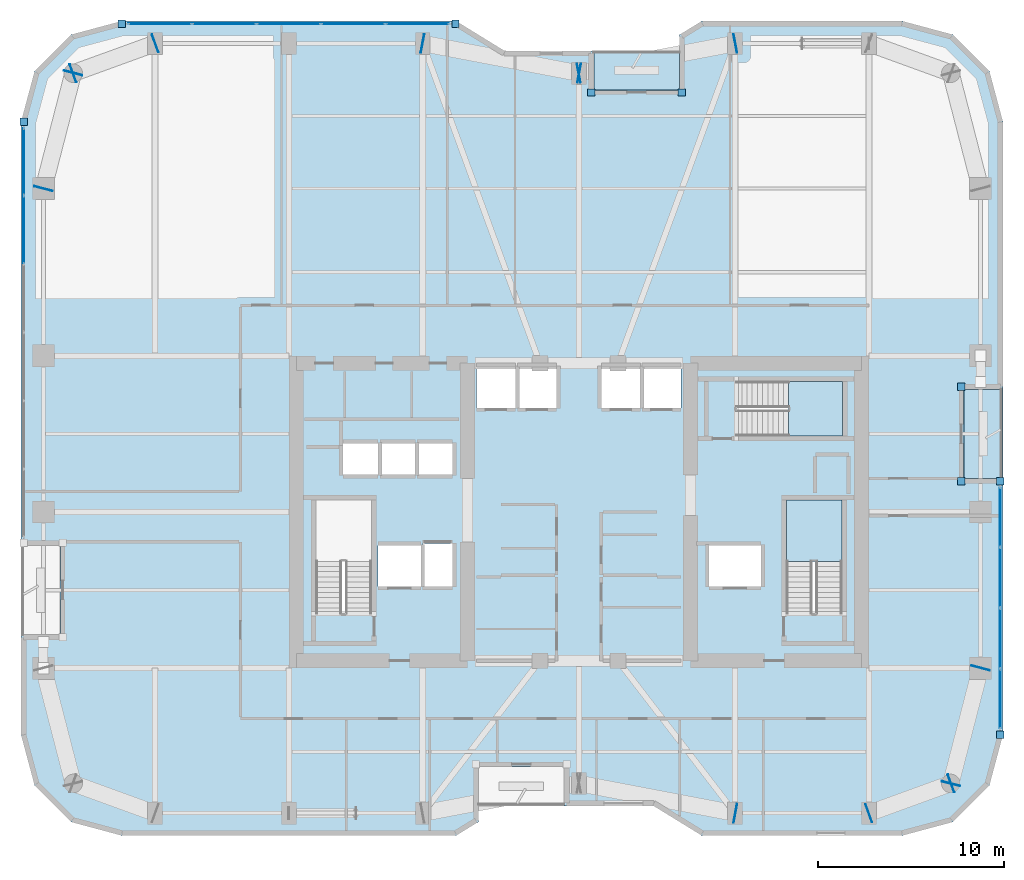
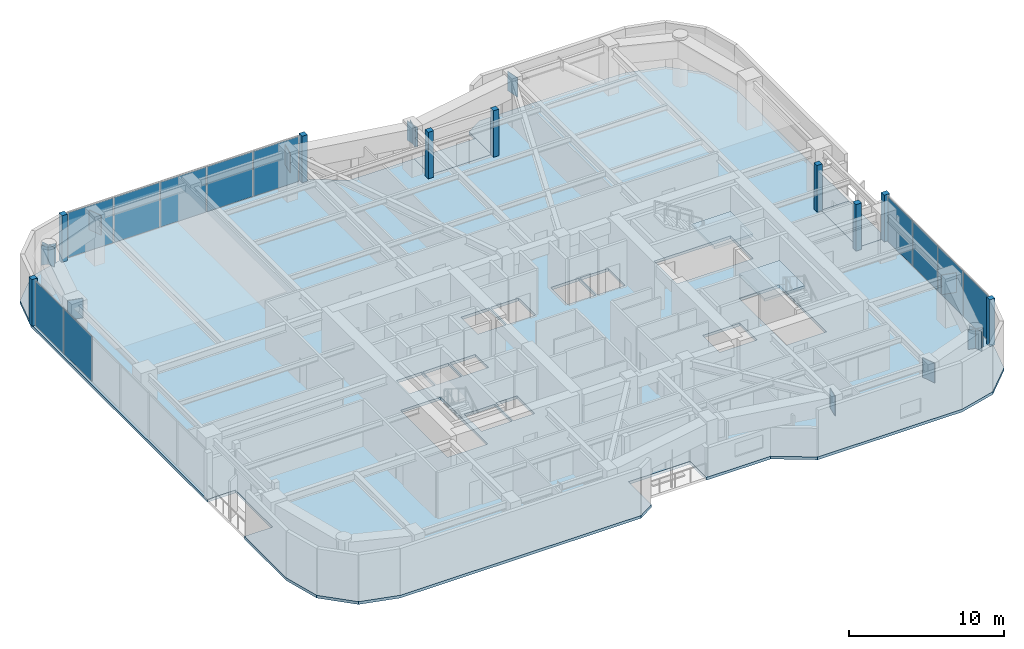
# One storey, part 22 of 30: 33 plates, 5 slabs, 5 elements without a shape of their own.
"""IFC4 building model written with IfcOpenShell, lengths in metres."""

from ifc_helpers import new_model, si_unit, direction, frame, origin, origin_2d, place, context, subcontext, project, spatial, polyline, rectangle, outline, extrude, material, layer, layer_set, type_object, element, aggregate, save


model = new_model("IFC4")

# Units and contexts
model_context = context("Model", 3, precision=1e-05, world=origin(), true_north=direction((0.0, 1.0)))
body_context = subcontext(model_context, "Body", "Model", "MODEL_VIEW")
ifc_project = project(units=[si_unit("LENGTHUNIT", "METRE"), si_unit("AREAUNIT", "SQUARE_METRE"), si_unit("VOLUMEUNIT", "CUBIC_METRE"), si_unit("PLANEANGLEUNIT", "RADIAN"), si_unit("MASSUNIT", "GRAM", prefix="KILO")], contexts=[model_context])

# Site, building, storey
site_placement = place(None, origin())
site = spatial("IfcSite", under=ifc_project, at=site_placement, CompositionType="ELEMENT")
building_placement = place(site_placement, origin())
building = spatial("IfcBuilding", under=site, at=building_placement, Name="Kiyonajd Concourse Tower", CompositionType="ELEMENT")
storey_placement = place(building_placement, frame((0.0, 0.0, 170.10009765625)))
storey = spatial("IfcBuildingStorey", under=building, at=storey_placement, Name="L43", CompositionType="ELEMENT", Elevation=170.10009765625)

# Plates
ifc_material_1 = material(Name="Steel ASTM A572 Grade 50", Category="steel")
ifc_layer_1 = layer(ifc_material_1, 0.031982421875)
ifc_layer_set_1 = layer_set([ifc_layer_1], Name="Steel ASTM A572 Grade 50")
plate_type_1 = type_object("IfcPlateType", Name="PL-CAP-540", PredefinedType="USERDEFINED", material=ifc_layer_set_1)
for number, where, z_axis, x_axis, name in (
    (1, (56.410888671875, 19.7978515625, 2.2099609375), (0.0, 0.0, 1.0), (0.982352599301, -0.187038420242, 0.0), "L43 Welded Box Girder End Cap"),
    (2, (63.589599609375, 19.796142578125, 2.2099609375), (0.0, 0.0, 1.0), (-0.939811951086, -0.341692107891, 0.0), "L43 Welded Box Girder End Cap"),
    (3, (68.01025390625, 21.40380859375, 2.2099609375), (0.0, 0.0, 1.0), (0.939811951086, 0.341692107891, 0.0), "L43 Welded Box Girder End Cap"),
    (4, (67.997314453125, 21.389404296875, 2.2099609375), (0.0, 0.0, 1.0), (-0.249873048837, -0.968278606324, 0.0), "L43 Welded Box Girder End Cap"),
    (5, (69.602783203125, 27.610595703125, 2.2099609375), (0.0, 0.0, 1.0), (0.249873048837, 0.968278606324, 0.0), "L43 Welded Box Girder End Cap"),
    (6, (56.410888671875, 61.2021484375, 2.2099609375), (0.0, 0.0, 1.0), (0.982352599301, 0.187038420242, 0.0), "L43 Welded Box Girder End Cap"),
    (7, (47.9892578125, 59.597900390625, 2.2099609375), (0.0, 0.0, 1.0), (-0.982352599301, -0.187038420242, 0.0), "L43 Welded Box Girder End Cap"),
    (8, (48.0107421875, 59.597900390625, 2.2099609375), (0.0, 0.0, 1.0), (0.982352599301, -0.187038420242, 0.0), "L43 Welded Box Girder End Cap"),
    (9, (39.589111328125, 61.2021484375, 2.2099609375), (0.0, 0.0, 1.0), (-0.982352599301, 0.187038420242, 0.0), "L43 Welded Box Girder End Cap"),
    (10, (25.210205078125, 61.203857421875, 2.2099609375), (0.0, 0.0, 1.0), (0.939811951086, 0.341692107891, 0.0), "L43 Welded Box Girder End Cap"),
    (11, (20.789794921875, 59.59619140625, 2.2099609375), (0.0, 0.0, 1.0), (-0.939811951086, -0.341692107891, 0.0), "L43 Welded Box Girder End Cap"),
    (12, (20.802734375, 59.610595703125, 2.2099609375), (0.0, 0.0, 1.0), (0.249873048837, 0.968278606324, 0.0), "L43 Welded Box Girder End Cap"),
    (13, (19.197265625, 53.389404296875, 2.2099609375), (0.0, 0.0, 1.0), (-0.249873048837, -0.968278606324, 0.0), "L43 Welded Box Girder End Cap"),
):
    element("IfcPlate", number, at=place(storey_placement, frame(where, z_axis=z_axis, x_axis=x_axis)), inside=storey, type_object=plate_type_1, Name=name, ObjectType="CAP PLATE", PredefinedType="USERDEFINED", context=body_context, shape_type="SweptSolid", body=[
        extrude(rectangle(XDim=0.035888671875, YDim=1.02001953125, at=origin_2d()), origin(), (0.0, 0.0, 1.0), 1.5400390625),
    ])

# Curtain wall, plates
ifc_material_2 = material(Name="Thermally Broken Anodised Aluminium", Category="aluminium")
ifc_layer_2 = layer(ifc_material_2, 0.179931640625)
ifc_layer_set_2 = layer_set([ifc_layer_2], Name="Thermally Broken Anodised Aluminium")
curtain_wall_type = type_object("IfcCurtainWallType", Name="CW-SYS-03", PredefinedType="NOTDEFINED", material=ifc_layer_set_2)
curtain_wall_1_placement = place(storey_placement, origin())
curtain_wall_1 = element("IfcCurtainWall", 14, at=curtain_wall_1_placement, inside=storey, type_object=curtain_wall_type, Name="L43 Unitised Curtain Wall CW3", PredefinedType="NOTDEFINED")
ifc_material_3 = material(Name="Double Low-E Insulated Glass", Category="glass")
ifc_layer_3 = layer(ifc_material_3, 0.033935546875)
ifc_layer_set_3 = layer_set([ifc_layer_3], Name="Double Low-E Insulated Glass")
plate_type_2 = type_object("IfcPlateType", Name="PL-CW-VIS34", PredefinedType="CURTAIN_PANEL", material=ifc_layer_set_3)
plate_1_placement = place(storey_placement, frame((18.139892578125, 51.17626953125, 0.06494140625), z_axis=(0.0, 0.0, 1.0), x_axis=(0.0, 1.0, 0.0)))
plate_1 = element("IfcPlate", 15, at=plate_1_placement, type_object=plate_type_2, Name="CW3 panel 5.1", PredefinedType="CURTAIN_PANEL", context=body_context, shape_type="SweptSolid", body=[
    extrude(rectangle(XDim=3.61181640625, YDim=0.033935546875, at=origin_2d()), origin(), (0.0, 0.0, 1.0), 3.550048828125),
])
plate_2_placement = place(storey_placement, frame((18.139892578125, 54.8369140625, 0.06494140625), z_axis=(0.0, 0.0, 1.0), x_axis=(0.0, 1.0, 0.0)))
plate_2 = element("IfcPlate", 16, at=plate_2_placement, type_object=plate_type_2, Name="CW3 panel 6.1", PredefinedType="CURTAIN_PANEL", context=body_context, shape_type="SweptSolid", body=[
    extrude(rectangle(XDim=3.579345703125, YDim=0.033935546875, at=origin_2d()), origin(), (0.0, 0.0, 1.0), 3.550048828125),
])
aggregate(curtain_wall_1, [plate_1, plate_2])

curtain_wall_2_placement = place(storey_placement, origin())
curtain_wall_2 = element("IfcCurtainWall", 17, at=curtain_wall_2_placement, inside=storey, type_object=curtain_wall_type, Name="L43 Unitised Curtain Wall CW3", PredefinedType="NOTDEFINED")
plate_3_placement = place(storey_placement, frame((25.4609375, 62.260009765625, 0.06494140625), z_axis=(0.0, 0.0, 1.0), x_axis=(1.0, 0.0, 0.0)))
plate_3 = element("IfcPlate", 18, at=plate_3_placement, type_object=plate_type_2, Name="CW3 panel 1.1", PredefinedType="CURTAIN_PANEL", context=body_context, shape_type="SweptSolid", body=[
    extrude(rectangle(XDim=3.375, YDim=0.033935546875, at=origin_2d()), origin(), (0.0, 0.0, 1.0), 3.550048828125),
])
plate_4_placement = place(storey_placement, frame((28.9169921875, 62.260009765625, 0.06494140625), z_axis=(0.0, 0.0, 1.0), x_axis=(1.0, 0.0, 0.0)))
plate_4 = element("IfcPlate", 19, at=plate_4_placement, type_object=plate_type_2, Name="CW3 panel 2.1", PredefinedType="CURTAIN_PANEL", context=body_context, shape_type="SweptSolid", body=[
    extrude(rectangle(XDim=3.407470703125, YDim=0.033935546875, at=origin_2d()), origin(), (0.0, 0.0, 1.0), 3.550048828125),
])
plate_5_placement = place(storey_placement, frame((32.389404296875, 62.260009765625, 0.06494140625), z_axis=(0.0, 0.0, 1.0), x_axis=(1.0, 0.0, 0.0)))
plate_5 = element("IfcPlate", 20, at=plate_5_placement, type_object=plate_type_2, Name="CW3 panel 3.1", PredefinedType="CURTAIN_PANEL", context=body_context, shape_type="SweptSolid", body=[
    extrude(rectangle(XDim=3.407470703125, YDim=0.033935546875, at=origin_2d()), origin(), (0.0, 0.0, 1.0), 3.550048828125),
])
plate_6_placement = place(storey_placement, frame((35.86181640625, 62.260009765625, 0.06494140625), z_axis=(0.0, 0.0, 1.0), x_axis=(1.0, 0.0, 0.0)))
plate_6 = element("IfcPlate", 21, at=plate_6_placement, type_object=plate_type_2, Name="CW3 panel 4.1", PredefinedType="CURTAIN_PANEL", context=body_context, shape_type="SweptSolid", body=[
    extrude(rectangle(XDim=3.407470703125, YDim=0.033935546875, at=origin_2d()), origin(), (0.0, 0.0, 1.0), 3.550048828125),
])
plate_7_placement = place(storey_placement, frame((39.31787109375, 62.260009765625, 0.06494140625), z_axis=(0.0, 0.0, 1.0), x_axis=(1.0, 0.0, 0.0)))
plate_7 = element("IfcPlate", 22, at=plate_7_placement, type_object=plate_type_2, Name="CW3 panel 5.1", PredefinedType="CURTAIN_PANEL", context=body_context, shape_type="SweptSolid", body=[
    extrude(rectangle(XDim=3.375, YDim=0.033935546875, at=origin_2d()), origin(), (0.0, 0.0, 1.0), 3.550048828125),
])
aggregate(curtain_wall_2, [plate_3, plate_4, plate_5, plate_6, plate_7])

curtain_wall_3_placement = place(storey_placement, origin())
curtain_wall_3 = element("IfcCurtainWall", 23, at=curtain_wall_3_placement, inside=storey, type_object=curtain_wall_type, Name="L43 Unitised Curtain Wall CW3", PredefinedType="NOTDEFINED")
plate_8_placement = place(storey_placement, frame((70.659912109375, 35.720947265625, 0.06494140625), z_axis=(0.0, 0.0, 1.0), x_axis=(0.0, -1.0, 0.0)))
plate_8 = element("IfcPlate", 24, at=plate_8_placement, type_object=plate_type_2, Name="CW3 panel 1.1", PredefinedType="CURTAIN_PANEL", context=body_context, shape_type="SweptSolid", body=[
    extrude(rectangle(XDim=3.16796875, YDim=0.033935546875, at=origin_2d()), origin(), (0.0, 0.0, 1.0), 3.550048828125),
])
plate_9_placement = place(storey_placement, frame((70.659912109375, 32.471923828125, 0.06494140625), z_axis=(0.0, 0.0, 1.0), x_axis=(0.0, -1.0, 0.0)))
plate_9 = element("IfcPlate", 25, at=plate_9_placement, type_object=plate_type_2, Name="CW3 panel 2.1", PredefinedType="CURTAIN_PANEL", context=body_context, shape_type="SweptSolid", body=[
    extrude(rectangle(XDim=3.200439453125, YDim=0.033935546875, at=origin_2d()), origin(), (0.0, 0.0, 1.0), 3.550048828125),
])
plate_10_placement = place(storey_placement, frame((70.659912109375, 29.20654296875, 0.06494140625), z_axis=(0.0, 0.0, 1.0), x_axis=(0.0, -1.0, 0.0)))
plate_10 = element("IfcPlate", 26, at=plate_10_placement, type_object=plate_type_2, Name="CW3 panel 3.1", PredefinedType="CURTAIN_PANEL", context=body_context, shape_type="SweptSolid", body=[
    extrude(rectangle(XDim=3.200439453125, YDim=0.033935546875, at=origin_2d()), origin(), (0.0, 0.0, 1.0), 3.550048828125),
])
plate_11_placement = place(storey_placement, frame((70.659912109375, 25.957275390625, 0.06494140625), z_axis=(0.0, 0.0, 1.0), x_axis=(0.0, -1.0, 0.0)))
plate_11 = element("IfcPlate", 27, at=plate_11_placement, type_object=plate_type_2, Name="CW3 panel 4.1", PredefinedType="CURTAIN_PANEL", context=body_context, shape_type="SweptSolid", body=[
    extrude(rectangle(XDim=3.16796875, YDim=0.033935546875, at=origin_2d()), origin(), (0.0, 0.0, 1.0), 3.550048828125),
])
aggregate(curtain_wall_3, [plate_8, plate_9, plate_10, plate_11])

# Plates
ifc_layer_4 = layer(ifc_material_2, 0.39990234375)
ifc_layer_set_4 = layer_set([ifc_layer_4], Name="Thermally Broken Anodised Aluminium")
plate_type_3 = type_object("IfcPlateType", Name="PL-JMB-400", PredefinedType="USERDEFINED", material=ifc_layer_set_4)
for number, where, z_axis, x_axis, name in (
    (28, (18.139892578125, 56.981689453125, 0.0), (0.0, 0.0, 1.0), (1.0, 0.0, 0.0), "L43 Facade Jamb Closure Plate 04"),
    (29, (23.41845703125, 62.260009765625, 0.0), (0.0, 0.0, 1.0), (1.0, 0.0, 0.0), "L43 Facade Jamb Closure Plate 05"),
    (30, (41.3603515625, 62.260009765625, 0.0), (0.0, 0.0, 1.0), (1.0, 0.0, 0.0), "L43 Facade Jamb Closure Plate 06"),
    (31, (48.659912109375, 58.56005859375, 0.0), (0.0, 0.0, 1.0), (1.0, 0.0, 0.0), "L43 Facade Jamb Closure Plate 07"),
    (32, (53.5400390625, 58.56005859375, 0.0), (0.0, 0.0, 1.0), (1.0, 0.0, 0.0), "L43 Facade Jamb Closure Plate 08"),
    (33, (68.56005859375, 42.739990234375, 0.0), (0.0, 0.0, 1.0), (1.0, 0.0, 0.0), "L43 Facade Jamb Closure Plate 09"),
    (34, (68.56005859375, 37.659912109375, 0.0), (0.0, 0.0, 1.0), (1.0, 0.0, 0.0), "L43 Facade Jamb Closure Plate 10"),
    (35, (70.659912109375, 37.659912109375, 0.0), (0.0, 0.0, 1.0), (1.0, 0.0, 0.0), "L43 Facade Jamb Closure Plate 11"),
    (36, (70.659912109375, 24.018310546875, 0.0), (0.0, 0.0, 1.0), (1.0, 0.0, 0.0), "L43 Facade Jamb Closure Plate 12"),
):
    element("IfcPlate", number, at=place(storey_placement, frame(where, z_axis=z_axis, x_axis=x_axis)), inside=storey, type_object=plate_type_3, Name=name, ObjectType="JAMB PLATE", PredefinedType="USERDEFINED", context=body_context, shape_type="SweptSolid", body=[
        extrude(rectangle(XDim=0.39990234375, YDim=0.39990234375, at=origin_2d()), origin(), (0.0, 0.0, 1.0), 3.679931640625),
    ])

# Stair, slab
ifc_material_4 = material(Name="Concrete C40/50", Category="concrete")
stair_type = type_object("IfcStairType", Name="ST-DLG-22R", PredefinedType="HALF_TURN_STAIR", material=ifc_material_4)
stair_1_placement = place(storey_placement, origin())
stair_1 = element("IfcStair", 37, at=stair_1_placement, inside=storey, type_object=stair_type, Name="L43 Protected Exit Stair ST2", PredefinedType="HALF_TURN_STAIR")
ifc_layer_5 = layer(ifc_material_4, 0.199951171875)
ifc_layer_set_5 = layer_set([ifc_layer_5], Name="Concrete C40/50")
slab_type_1 = type_object("IfcSlabType", Name="SL-LND-200", PredefinedType="LANDING", material=ifc_layer_set_5)
slab_1_placement = place(storey_placement, frame((0.0, 0.0, 1.75)))
slab_1 = element("IfcSlab", 38, at=slab_1_placement, type_object=slab_type_1, Name="ST2 landing 1", PredefinedType="LANDING", context=body_context, shape_type="SweptSolid", body=[
    extrude(outline(polyline([(62.14990234375, 33.35009765625), (62.14990234375, 36.64990234375), (59.14990234375, 36.64990234375), (59.14990234375, 33.35009765625), (62.14990234375, 33.35009765625)])), origin(), (0.0, 0.0, 1.0), 0.199951171875),
])
aggregate(stair_1, [slab_1])

stair_2_placement = place(storey_placement, origin())
stair_2 = element("IfcStair", 39, at=stair_2_placement, inside=storey, type_object=stair_type, Name="L43 Protected Exit Stair ST3", PredefinedType="HALF_TURN_STAIR")
slab_2_placement = place(storey_placement, frame((0.0, 0.0, 1.75)))
slab_2 = element("IfcSlab", 40, at=slab_2_placement, type_object=slab_type_1, Name="ST3 landing 1", PredefinedType="LANDING", context=body_context, shape_type="SweptSolid", body=[
    extrude(outline(polyline([(59.280029296875, 40.080078125), (62.179931640625, 40.080078125), (62.179931640625, 43.02001953125), (59.280029296875, 43.02001953125), (59.280029296875, 40.080078125)])), origin(), (0.0, 0.0, 1.0), 0.199951171875),
])
aggregate(stair_2, [slab_2])

# Slabs
ifc_material_5 = material(Name="Precast concrete C50/60", Category="concrete")
ifc_layer_6 = layer(ifc_material_5, 0.199951171875)
ifc_layer_set_6 = layer_set([ifc_layer_6], Name="Precast concrete C50/60")
slab_type_2 = type_object("IfcSlabType", Name="SL-LOG-200", PredefinedType="FLOOR", material=ifc_layer_set_6)
slab_3_placement = place(storey_placement, frame((0.0, 0.0, -0.2001953125)))
element("IfcSlab", 41, at=slab_3_placement, inside=storey, type_object=slab_type_2, Name="L43 Recessed Engawa Loggia Terrace Slab LOG-N", PredefinedType="FLOOR", context=body_context, shape_type="SweptSolid", body=[
    extrude(outline(polyline([(48.800048828125, 58.699951171875), (53.39990234375, 58.699951171875), (53.39990234375, 60.800048828125), (48.800048828125, 60.800048828125), (48.800048828125, 58.699951171875)])), origin(), (0.0, 0.0, 1.0), 0.2001953125),
])
slab_4_placement = place(storey_placement, frame((0.0, 0.0, -0.2001953125)))
element("IfcSlab", 42, at=slab_4_placement, inside=storey, type_object=slab_type_2, Name="L43 Recessed Engawa Loggia Terrace Slab LOG-E", PredefinedType="FLOOR", context=body_context, shape_type="SweptSolid", body=[
    extrude(outline(polyline([(68.699951171875, 37.800048828125), (70.800048828125, 37.800048828125), (70.800048828125, 42.60009765625), (68.699951171875, 42.60009765625), (68.699951171875, 37.800048828125)])), origin(), (0.0, 0.0, 1.0), 0.2001953125),
])
ifc_layer_7 = layer(ifc_material_4, 0.219970703125)
ifc_layer_set_7 = layer_set([ifc_layer_7], Name="Concrete C40/50")
slab_type_3 = type_object("IfcSlabType", Name="SL-TWR-220", PredefinedType="FLOOR", material=ifc_layer_set_7)
slab_5_placement = place(storey_placement, frame((0.0, 0.0, -0.22021484375)))
element("IfcSlab", 43, at=slab_5_placement, inside=storey, type_object=slab_type_3, Name="L43 Tower Conditioned Floor Slab", PredefinedType="FLOOR", context=body_context, shape_type="SweptSolid", body=[
    extrude(outline(polyline([(18.722900390625, 21.300048828125), (18.0, 24.0), (18.0, 29.39990234375), (20.10009765625, 29.39990234375), (20.10009765625, 34.199951171875), (18.0, 34.199951171875), (18.0, 57.0), (18.722900390625, 59.699951171875), (20.699951171875, 61.677001953125), (23.39990234375, 62.39990234375), (41.39990234375, 62.39990234375), (44.0, 60.800048828125), (48.800048828125, 60.800048828125), (48.800048828125, 58.699951171875), (53.39990234375, 58.699951171875), (53.39990234375, 61.662109375), (54.60009765625, 62.39990234375), (65.39990234375, 62.39990234375), (68.10009765625, 61.677001953125), (70.076904296875, 59.699951171875), (70.800048828125, 57.0), (70.800048828125, 42.60009765625), (68.699951171875, 42.60009765625), (68.699951171875, 37.800048828125), (70.800048828125, 37.800048828125), (70.800048828125, 24.0), (70.076904296875, 21.300048828125), (68.10009765625, 19.322998046875), (65.39990234375, 18.60009765625), (54.60009765625, 18.60009765625), (52.0, 20.199951171875), (47.199951171875, 20.199951171875), (47.199951171875, 22.300048828125), (42.60009765625, 22.300048828125), (42.60009765625, 19.337890625), (41.39990234375, 18.60009765625), (23.39990234375, 18.60009765625), (20.699951171875, 19.322998046875), (18.722900390625, 21.300048828125)]), holes=[polyline([(39.5, 32.0), (37.199951171875, 32.0), (37.199951171875, 34.199951171875), (39.5, 34.199951171875), (39.5, 32.0)]), polyline([(39.60009765625, 32.0), (39.60009765625, 34.300048828125), (41.199951171875, 34.300048828125), (41.199951171875, 32.0), (39.60009765625, 32.0)]), polyline([(33.85009765625, 30.550048828125), (33.85009765625, 36.64990234375), (36.85009765625, 36.64990234375), (36.85009765625, 30.550048828125), (33.85009765625, 30.550048828125)]), polyline([(37.199951171875, 38.0), (35.300048828125, 38.0), (35.300048828125, 39.699951171875), (37.199951171875, 39.699951171875), (37.199951171875, 38.0)]), polyline([(37.300048828125, 38.0), (37.300048828125, 39.699951171875), (39.199951171875, 39.699951171875), (39.199951171875, 38.0), (37.300048828125, 38.0)]), polyline([(39.300048828125, 38.0), (39.300048828125, 39.699951171875), (41.199951171875, 39.699951171875), (41.199951171875, 38.0), (39.300048828125, 38.0)]), polyline([(44.60009765625, 41.60009765625), (42.5, 41.60009765625), (42.5, 43.800048828125), (44.60009765625, 43.800048828125), (44.60009765625, 41.60009765625)]), polyline([(55.0, 32.0), (55.0, 34.199951171875), (57.800048828125, 34.199951171875), (57.800048828125, 32.0), (55.0, 32.0)]), polyline([(59.14990234375, 30.550048828125), (59.14990234375, 36.64990234375), (62.14990234375, 36.64990234375), (62.14990234375, 30.550048828125), (59.14990234375, 30.550048828125)]), polyline([(56.47998046875, 43.02001953125), (62.179931640625, 43.02001953125), (62.179931640625, 40.080078125), (56.47998046875, 40.080078125), (56.47998046875, 43.02001953125)]), polyline([(44.699951171875, 41.60009765625), (44.699951171875, 43.800048828125), (46.800048828125, 43.800048828125), (46.800048828125, 41.60009765625), (44.699951171875, 41.60009765625)]), polyline([(49.199951171875, 41.60009765625), (49.199951171875, 43.800048828125), (51.300048828125, 43.800048828125), (51.300048828125, 41.60009765625), (49.199951171875, 41.60009765625)]), polyline([(51.39990234375, 41.60009765625), (51.39990234375, 43.800048828125), (53.5, 43.800048828125), (53.5, 41.60009765625), (51.39990234375, 41.60009765625)])]), origin(), (0.0, 0.0, 1.0), 0.22021484375),
])

save(model, "model.ifc")
